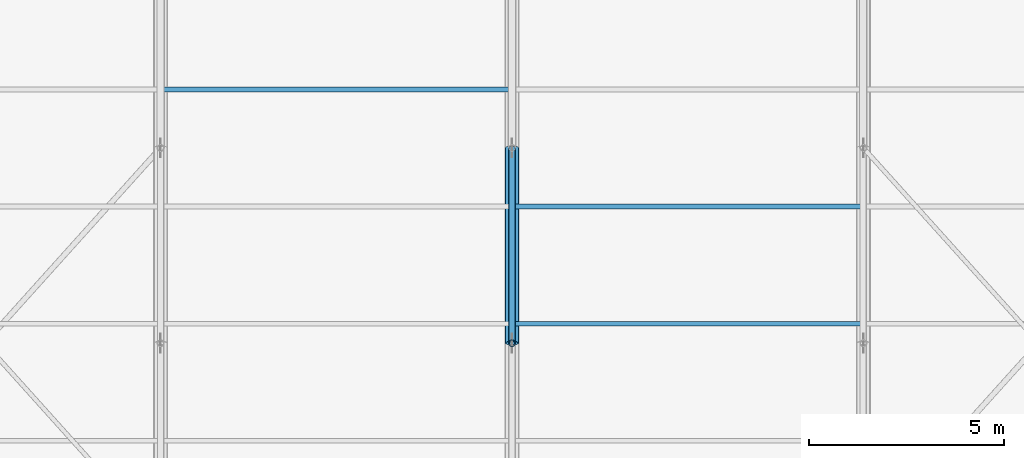
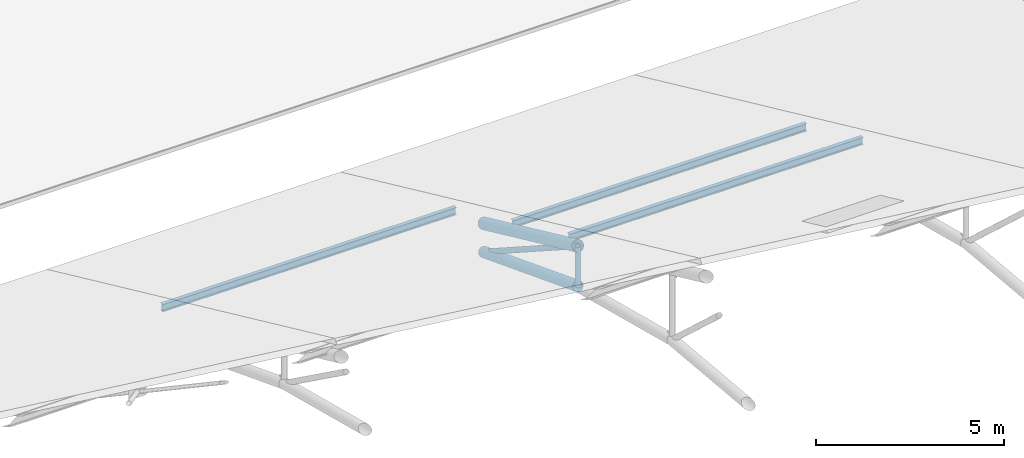
# One storey, part 44 of 107: 7 members.
"""IFC4 building model written with IfcOpenShell, lengths in metres."""

import ifcopenshell
import ifcopenshell.guid

model = None  # the IFC model being written
_history = None  # IfcOwnerHistory: only IFC2X3 demands one
_inside = {}  # id of a spatial element -> (the spatial element, [elements in it])
_under = {}  # id of a project, library or spatial element -> (it, [spatial elements below it])
_declared = {}  # id of a project -> (the project, [libraries it declares])
_typed = {}  # id of a type object -> (the type object, [elements of that type])
_made_of = {}  # id of a material, layer set ... -> (it, [elements and type objects made of it])


def new_model(schema):
    """Start an empty IFC model of exactly this schema.

    Asked for "IFC4X3", IfcOpenShell would pick the latest addendum, in which some entities
    have other attributes; the version numbers below select the first issue.
    IFC2X3 requires an IfcOwnerHistory on every rooted entity: one is made here for all.
    """
    global model, _history
    if schema == "IFC4X3":
        model = ifcopenshell.file(schema_version=(4, 3, 0, 0))
    else:
        model = ifcopenshell.file(schema=schema)
    _inside.clear()
    _under.clear()
    _declared.clear()
    _typed.clear()
    _made_of.clear()
    _history = None
    if model.schema == "IFC2X3":
        org = make("IfcOrganization", Name="unknown")
        user = make(
            "IfcPersonAndOrganization",
            ThePerson=make("IfcPerson", FamilyName="unknown"),
            TheOrganization=org,
        )
        app = make(
            "IfcApplication",
            ApplicationDeveloper=org,
            Version="unknown",
            ApplicationFullName="unknown",
            ApplicationIdentifier="unknown",
        )
        _history = make(
            "IfcOwnerHistory",
            OwningUser=user,
            OwningApplication=app,
            ChangeAction="ADDED",
            CreationDate=0,
        )
    return model


def make(cls, **values):
    """One entity of the class cls with the attributes given. An attribute that is None is left unset."""
    return model.create_entity(
        cls, **{name: value for name, value in values.items() if value is not None}
    )


def rooted(cls, **values):
    """An entity with a GlobalId (a new one), such as an element, a storey or a relation."""
    return make(cls, GlobalId=ifcopenshell.guid.new(), OwnerHistory=_history, **values)


def si_unit(unit_type, name, prefix=None):
    """IfcSIUnit, for example si_unit("LENGTHUNIT", "METRE", prefix="MILLI")."""
    return make("IfcSIUnit", UnitType=unit_type, Prefix=prefix, Name=name)


def derived_unit(unit_type, elements):
    """IfcDerivedUnit: a product of units, each with its exponent."""
    return make(
        "IfcDerivedUnit",
        Elements=[
            make("IfcDerivedUnitElement", Unit=unit, Exponent=power)
            for unit, power in elements
        ],
        UnitType=unit_type,
    )


def assignment(units):
    """IfcUnitAssignment: the units of a project."""
    return None if units is None else make("IfcUnitAssignment", Units=units)


def point(xyz):
    """IfcCartesianPoint."""
    return None if xyz is None else make("IfcCartesianPoint", Coordinates=xyz)


def direction(xyz):
    """IfcDirection."""
    return None if xyz is None else make("IfcDirection", DirectionRatios=xyz)


def frame(location, z_axis=None, x_axis=None):
    """IfcAxis2Placement3D, a coordinate frame: its origin and axes. An axis left out is left unset."""
    return make(
        "IfcAxis2Placement3D",
        Location=point(location),
        Axis=direction(z_axis),
        RefDirection=direction(x_axis),
    )


def frame_2d(location, x_axis=None):
    """IfcAxis2Placement2D, a coordinate frame in the plane: its origin and x axis."""
    return make(
        "IfcAxis2Placement2D", Location=point(location), RefDirection=direction(x_axis)
    )


def origin():
    """The frame at (0, 0, 0) with its axes left unset."""
    return frame((0.0, 0.0, 0.0))


def origin_2d():
    """The frame at (0, 0) in the plane with its x axis left unset."""
    return frame_2d((0.0, 0.0))


def place(relative_to, where):
    """IfcLocalPlacement: puts the frame where relative to a parent placement (None: the world)."""
    return make(
        "IfcLocalPlacement", PlacementRelTo=relative_to, RelativePlacement=where
    )


def context(
    kind, dimensions, precision=None, world=None, true_north=None, identifier=None
):
    """IfcGeometricRepresentationContext, for example the 3D "Model" context."""
    return make(
        "IfcGeometricRepresentationContext",
        ContextIdentifier=identifier,
        ContextType=kind,
        CoordinateSpaceDimension=dimensions,
        Precision=precision,
        WorldCoordinateSystem=world,
        TrueNorth=true_north,
    )


def subcontext(parent, identifier, kind, view, scale=None):
    """IfcGeometricRepresentationSubContext, for example "Body" below "Model"."""
    return make(
        "IfcGeometricRepresentationSubContext",
        ContextIdentifier=identifier,
        ContextType=kind,
        ParentContext=parent,
        TargetScale=scale,
        TargetView=view,
    )


def project(units=None, contexts=None):
    """IfcProject with its units and contexts."""
    return rooted(
        "IfcProject",
        Name="project",
        RepresentationContexts=contexts,
        UnitsInContext=assignment(units),
    )


def spatial(cls, under=None, at=None, **own):
    """A site, building, storey or space (cls), placed at a placement, below another one or the project."""
    s = rooted(cls, ObjectPlacement=at, **own)
    if under is not None:
        _under.setdefault(under.id(), (under, []))[1].append(s)
    return s


def profile(cls, at=None, kind="AREA", **sizes):
    """A parametric profile (cls). Its sizes go by their IFC names, for example OverallWidth=200.0."""
    return make(cls, ProfileType=kind, Position=at, **sizes)


def hollow_circle(**sizes):
    """IfcCircleHollowProfileDef."""
    return profile("IfcCircleHollowProfileDef", **sizes)


def i_section(**sizes):
    """IfcIShapeProfileDef."""
    return profile("IfcIShapeProfileDef", **sizes)


def extrude(swept, where, along, depth):
    """IfcExtrudedAreaSolid: the profile swept, set in the frame where, extruded along a direction by depth."""
    return make(
        "IfcExtrudedAreaSolid",
        SweptArea=swept,
        Position=where,
        ExtrudedDirection=direction(along),
        Depth=depth,
    )


def shape(context_of_items, identifier, shape_type, items):
    """IfcShapeRepresentation: the items that make up one representation, for example the "Body"."""
    return make(
        "IfcShapeRepresentation",
        ContextOfItems=context_of_items,
        RepresentationIdentifier=identifier,
        RepresentationType=shape_type,
        Items=items,
    )


def material(Name=None, Category=None):
    """IfcMaterial."""
    return make("IfcMaterial", Name=Name, Category=Category)


def material_profile(
    of_material, cross_section, Name=None, Category=None, Priority=None
):
    """IfcMaterialProfile: a cross section and its material."""
    return make(
        "IfcMaterialProfile",
        Name=Name,
        Material=of_material,
        Profile=cross_section,
        Priority=Priority,
        Category=Category,
    )


def profile_set(profiles, Name=None, composite=None):
    """IfcMaterialProfileSet."""
    return make(
        "IfcMaterialProfileSet",
        Name=Name,
        MaterialProfiles=profiles,
        CompositeProfile=composite,
    )


def made_of(thing, what):
    """Note that an element or type object is made of a material, layer set ...; save() writes the relation."""
    if what is not None:
        _made_of.setdefault(what.id(), (what, []))[1].append(thing)
    return thing


def type_object(cls, material=None, **own):
    """A type object (cls), such as IfcWallType, which elements share."""
    return made_of(rooted(cls, **own), material)


def element(
    cls,
    number,
    at=None,
    inside=None,
    cuts=None,
    type_object=None,
    material=None,
    context=None,
    identifier="Body",
    shape_type=None,
    held_by="IfcProductDefinitionShape",
    body=None,
    shapes=None,
    **own,
):
    """One element of the class cls, such as IfcWall. Its Tag is "e" and its number.

    at: its placement. inside: the storey or other place that contains it. cuts: it is an
    opening in that element (IfcRelVoidsElement). A single representation is given by context,
    identifier, shape_type and body (its items); several are given by shapes. held_by: the class
    of the entity that holds the representations. save() writes the other relations.
    """
    e = rooted(cls, Tag="e%d" % number, ObjectPlacement=at, **own)
    if body is not None:
        shapes = [shape(context, identifier, shape_type, body)]
    if shapes is not None:
        e.Representation = make(held_by, Representations=shapes)
    if inside is not None:
        _inside.setdefault(inside.id(), (inside, []))[1].append(e)
    if cuts is not None:
        rooted(
            "IfcRelVoidsElement", RelatingBuildingElement=cuts, RelatedOpeningElement=e
        )
    if type_object is not None:
        _typed.setdefault(type_object.id(), (type_object, []))[1].append(e)
    return made_of(e, material)


def aggregate(whole, parts):
    """IfcRelAggregates: a whole, such as a stair, and the parts it consists of."""
    return rooted("IfcRelAggregates", RelatingObject=whole, RelatedObjects=parts)


def save(model, path):
    """Write the relations noted so far, then the file.

    IfcRelAggregates (storeys below a building ...), IfcRelContainedInSpatialStructure (elements
    in a storey), IfcRelDefinesByType, IfcRelAssociatesMaterial and IfcRelDeclares: one each for
    every whole, place, type object, material and project.
    """
    for whole, parts in _under.values():
        aggregate(whole, parts)
    for where, things in _inside.values():
        rooted(
            "IfcRelContainedInSpatialStructure",
            RelatedElements=things,
            RelatingStructure=where,
        )
    for kind, things in _typed.values():
        rooted("IfcRelDefinesByType", RelatedObjects=things, RelatingType=kind)
    for what, things in _made_of.values():
        rooted("IfcRelAssociatesMaterial", RelatedObjects=things, RelatingMaterial=what)
    for by, libraries in _declared.values():
        rooted("IfcRelDeclares", RelatingContext=by, RelatedDefinitions=libraries)
    model.write(path)


model = new_model("IFC4")

# Units and contexts
model_context = context("Model", 3, precision=1e-05, world=origin(), true_north=direction((0.0, 1.0)))
body_context = subcontext(model_context, "Body", "Model", "MODEL_VIEW")
ifc_project = project(units=[si_unit("LENGTHUNIT", "METRE"), si_unit("AREAUNIT", "SQUARE_METRE"), si_unit("VOLUMEUNIT", "CUBIC_METRE"), si_unit("PLANEANGLEUNIT", "RADIAN"), si_unit("MASSUNIT", "GRAM", prefix="KILO"), si_unit("THERMODYNAMICTEMPERATUREUNIT", "KELVIN"), si_unit("TIMEUNIT", "SECOND"), derived_unit("THERMALTRANSMITTANCEUNIT", [(si_unit("MASSUNIT", "GRAM", prefix="KILO"), 1), (si_unit("THERMODYNAMICTEMPERATUREUNIT", "KELVIN"), -1), (si_unit("TIMEUNIT", "SECOND"), -3)])], contexts=[model_context])

# Site, building, storey
site_placement = place(None, origin())
site = spatial("IfcSite", under=ifc_project, at=site_placement, CompositionType="ELEMENT")
building_placement = place(site_placement, origin())
building = spatial("IfcBuilding", under=site, at=building_placement, Name="Cambertide Market Hall", CompositionType="ELEMENT")
storey_placement = place(building_placement, frame((0.0, 0.0, 18.300048828125)))
storey = spatial("IfcBuildingStorey", under=building, at=storey_placement, Name="RF", CompositionType="ELEMENT", Elevation=18.300048828125)

# Members
ifc_material_1 = material(Name="Steel S355", Category="steel")
ifc_material_profile_1 = material_profile(ifc_material_1, hollow_circle(Radius=0.161865234375, WallThickness=0.010009765625, at=origin_2d()), Name="CHS 323.9x10")
ifc_profile_set_1 = profile_set([ifc_material_profile_1], Name="Steel S355")
member_type_1 = type_object("IfcMemberType", Name="Arched Truss Chord CHS 323.9x10", PredefinedType="CHORD", material=ifc_profile_set_1)
member_1_placement = place(storey_placement, frame((60.0, 82.0, -6.251220703125), z_axis=(0.0, 0.933191676524, -0.359379040661), x_axis=(-1.0, 0.0, 0.0)))
element("IfcMember", 1, at=member_1_placement, inside=storey, type_object=member_type_1, Name="Roof Truss 3 Arched Bottom Chord 7", PredefinedType="CHORD", context=body_context, shape_type="SweptSolid", body=[
    extrude(hollow_circle(Radius=0.161865234375, WallThickness=0.010009765625, at=origin_2d()), origin(), (0.0, 0.0, 1.0), 5.35791015625),
])
ifc_material_2 = material(Name="Steel S355", Category="steel")
ifc_material_profile_2 = material_profile(ifc_material_2, hollow_circle(Radius=0.177734375, WallThickness=0.012451171875, at=origin_2d()), Name="CHS 355.6x12.5")
ifc_profile_set_2 = profile_set([ifc_material_profile_2], Name="Steel S355")
member_type_2 = type_object("IfcMemberType", Name="Arched Truss Chord CHS 355.6x12.5", PredefinedType="CHORD", material=ifc_profile_set_2)
member_2_placement = place(storey_placement, frame((60.0, 82.0, -4.949951171875), z_axis=(0.0, 0.908487084298, -0.417912930721), x_axis=(-1.0, 0.0, 0.0)))
element("IfcMember", 2, at=member_2_placement, inside=storey, type_object=member_type_2, Name="Roof Truss 3 Top Chord 7", PredefinedType="CHORD", context=body_context, shape_type="SweptSolid", body=[
    extrude(hollow_circle(Radius=0.177734375, WallThickness=0.012451171875, at=origin_2d()), origin(), (0.0, 0.0, 1.0), 5.503662109375),
])
ifc_material_3 = material(Name="Steel S275", Category="steel")
ifc_material_profile_3 = material_profile(ifc_material_3, i_section(OverallWidth=0.1201171875, OverallDepth=0.239990234375, WebThickness=0.006103515625, FlangeThickness=0.009765625, FilletRadius=0.014892578125, at=origin_2d()), Name="IPE 240")
ifc_profile_set_3 = profile_set([ifc_material_profile_3], Name="Steel S275")
member_type_3 = type_object("IfcMemberType", Name="Roof Purlin IPE 240", PredefinedType="PURLIN", material=ifc_profile_set_3)
for number, where, z_axis, x_axis, name in (
    (3, (51.0, 88.5, -7.72998046875), (1.0, 0.0, 0.0), (0.0, 1.0, 0.0), "Barrel Roof Purlin 2-14"),
    (4, (60.0, 82.5, -4.969970703125), (1.0, 0.0, 0.0), (0.0, 1.0, 0.0), "Barrel Roof Purlin 3-12"),
    (5, (60.0, 85.5, -6.35009765625), (1.0, 0.0, 0.0), (0.0, 1.0, 0.0), "Barrel Roof Purlin 3-13"),
):
    element("IfcMember", number, at=place(storey_placement, frame(where, z_axis=z_axis, x_axis=x_axis)), inside=storey, type_object=member_type_3, Name=name, PredefinedType="PURLIN", context=body_context, shape_type="SweptSolid", body=[
        extrude(i_section(OverallWidth=0.1201171875, OverallDepth=0.239990234375, WebThickness=0.006103515625, FlangeThickness=0.009765625, FilletRadius=0.014892578125, at=origin_2d()), origin(), (0.0, 0.0, 1.0), 9.0),
    ])
ifc_material_4 = material(Name="Steel S355", Category="steel")
ifc_material_profile_4 = material_profile(ifc_material_4, hollow_circle(Radius=0.084228515625, WallThickness=0.00634765625, at=origin_2d()), Name="CHS 168.3x6.3")
ifc_profile_set_4 = profile_set([ifc_material_profile_4], Name="Steel S355")
member_type_4 = type_object("IfcMemberType", Name="Structural Brace CHS 168.3x6.3", PredefinedType="BRACE", material=ifc_profile_set_4)
member_3_placement = place(storey_placement, frame((60.0, 82.0, -4.949951171875), z_axis=(0.0, 0.840220073362, -0.542245542462), x_axis=(-1.0, 0.0, 0.0)))
element("IfcMember", 6, at=member_3_placement, inside=storey, type_object=member_type_4, Name="Roof Truss 3 Web Diagonal 7", PredefinedType="BRACE", context=body_context, shape_type="SweptSolid", body=[
    extrude(hollow_circle(Radius=0.084228515625, WallThickness=0.00634765625, at=origin_2d()), origin(), (0.0, 0.0, 1.0), 5.950927734375),
])
member_4_placement = place(storey_placement, frame((60.0, 82.0, -6.251220703125), z_axis=(0.0, 0.0, 1.0), x_axis=(1.0, 0.0, 0.0)))
element("IfcMember", 7, at=member_4_placement, inside=storey, type_object=member_type_4, Name="Roof Truss 3 Web Post 7", PredefinedType="BRACE", context=body_context, shape_type="SweptSolid", body=[
    extrude(hollow_circle(Radius=0.084228515625, WallThickness=0.00634765625, at=origin_2d()), origin(), (0.0, 0.0, 1.0), 1.30126953125),
])

save(model, "model.ifc")
